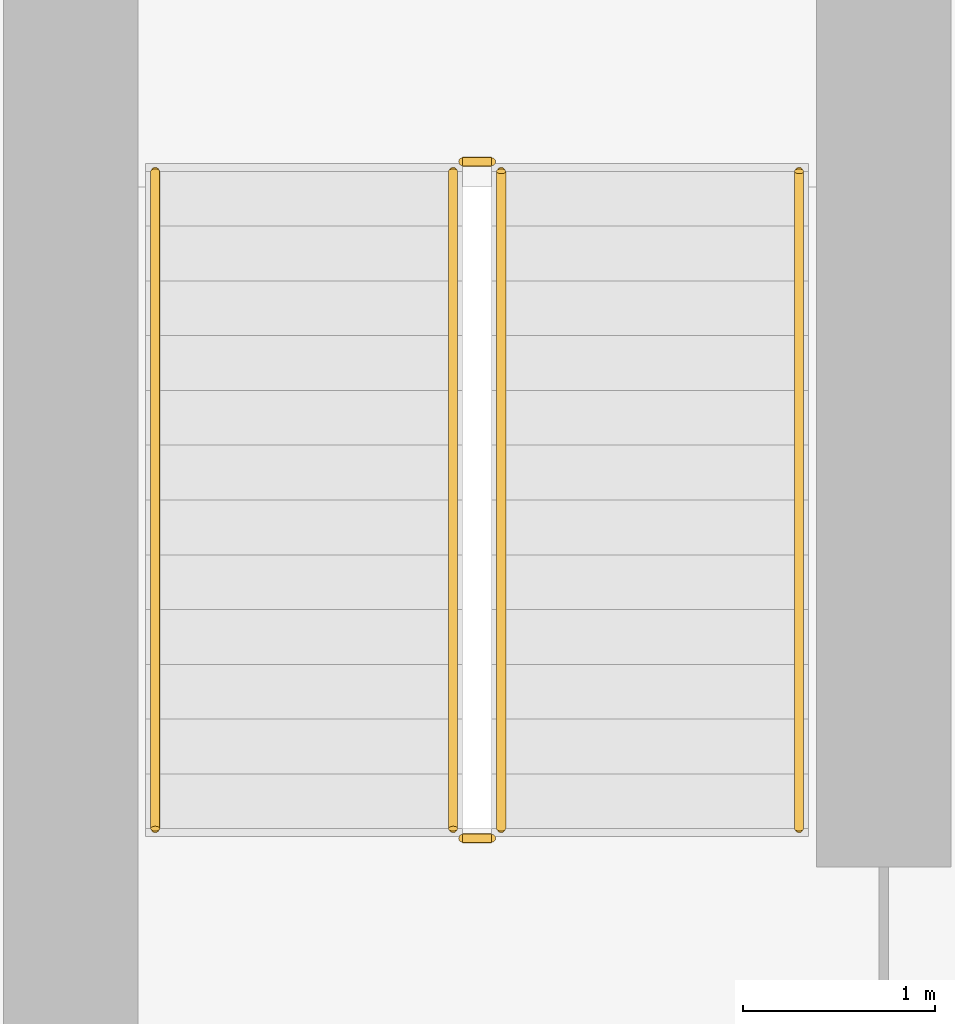
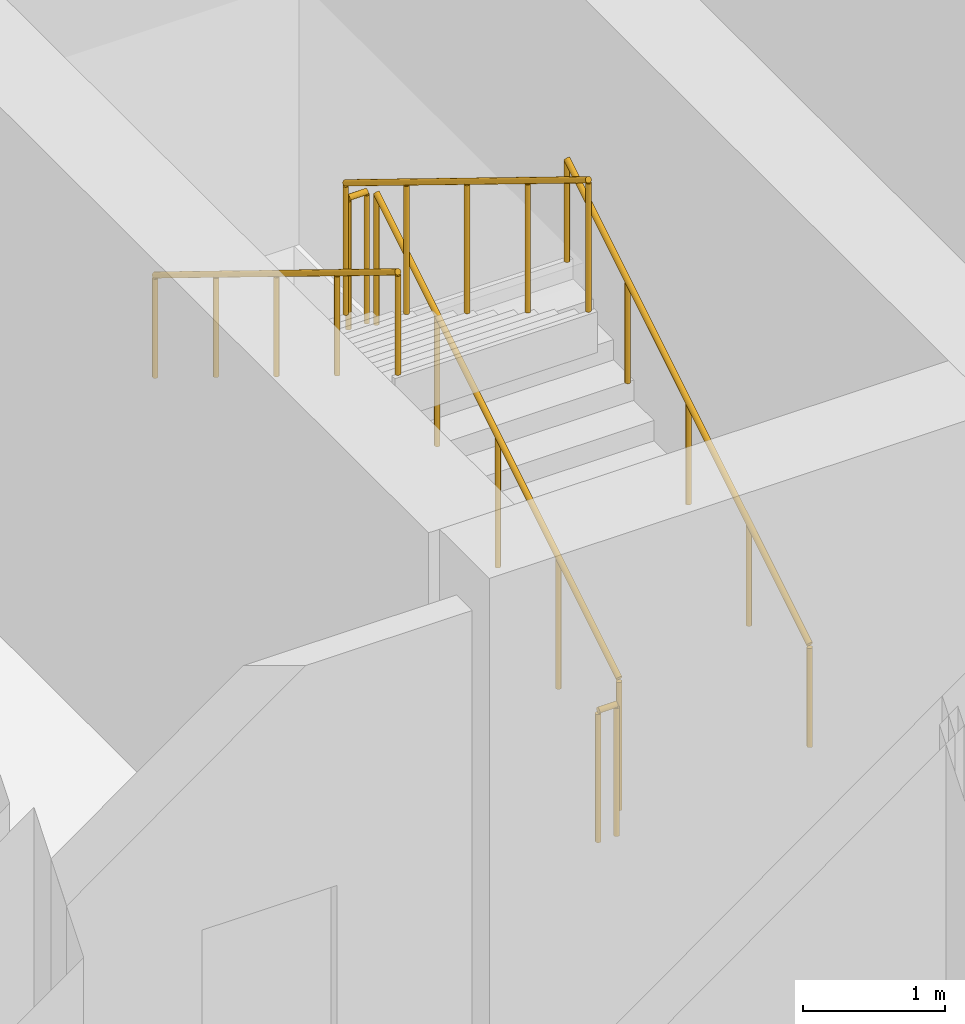
# One storey, part 10 of 13: 6 railings.
"""IFC4 building model written with IfcOpenShell, lengths in metres."""

from ifc_helpers import new_model, si_unit, direction, frame, origin, origin_2d, place, context, subcontext, project, spatial, circle, extrude, material, type_object, element, save


model = new_model("IFC4")

# Units and contexts
model_context = context("Model", 3, precision=1e-05, world=origin(), true_north=direction((0.0, 1.0)))
body_context = subcontext(model_context, "Body", "Model", "MODEL_VIEW")
ifc_project = project(units=[si_unit("LENGTHUNIT", "METRE"), si_unit("AREAUNIT", "SQUARE_METRE"), si_unit("VOLUMEUNIT", "CUBIC_METRE"), si_unit("PLANEANGLEUNIT", "RADIAN"), si_unit("MASSUNIT", "GRAM", prefix="KILO")], contexts=[model_context])

# Site, building, storey
site_placement = place(None, origin())
site = spatial("IfcSite", under=ifc_project, at=site_placement, CompositionType="ELEMENT")
building_placement = place(site_placement, origin())
building = spatial("IfcBuilding", under=site, at=building_placement, Name="Nhamokura Convention Tower", CompositionType="ELEMENT")
storey_placement = place(building_placement, frame((0.0, 0.0, 34.300048828125)))
storey = spatial("IfcBuildingStorey", under=building, at=storey_placement, Name="L06", CompositionType="ELEMENT", Elevation=34.300048828125)

# Railings
ifc_material_1 = material(Name="Anodised bronze stainless steel", Category="steel")
railing_type_1 = type_object("IfcRailingType", Name="StairWallHandrail_900", PredefinedType="HANDRAIL", material=ifc_material_1)
railing_1_placement = place(storey_placement, frame((42.5, 23.10009765625, 0.175048828125)))
element("IfcRailing", 1, at=railing_1_placement, inside=storey, type_object=railing_type_1, Name="L06 ST-02 stair handrail 1", PredefinedType="HANDRAIL", context=body_context, shape_type="SweptSolid", body=[
    extrude(circle(Radius=0.02392578125, at=origin_2d()), frame((0.0, 0.0, 0.8759765625), z_axis=(0.0, 0.852182171552, 0.523245206847), x_axis=(-1.0, 0.0, 0.0)), (0.0, 0.0, 1.0), 4.01318359375),
    extrude(circle(Radius=0.02099609375, at=origin_2d()), origin(), (0.0, 0.0, 1.0), 0.851806640625),
    extrude(circle(Radius=0.02099609375, at=origin_2d()), frame((0.0, 0.85498046875, 0.52490234375)), (0.0, 0.0, 1.0), 0.851806640625),
    extrude(circle(Radius=0.02099609375, at=origin_2d()), frame((0.0, 1.7099609375, 1.0498046875)), (0.0, 0.0, 1.0), 0.851806640625),
    extrude(circle(Radius=0.02099609375, at=origin_2d()), frame((0.0, 2.56494140625, 1.574951171875)), (0.0, 0.0, 1.0), 0.851806640625),
    extrude(circle(Radius=0.02099609375, at=origin_2d()), frame((0.0, 3.419921875, 2.099853515625)), (0.0, 0.0, 1.0), 0.851806640625),
])
railing_2_placement = place(storey_placement, frame((39.14990234375, 26.52001953125, 2.449951171875)))
element("IfcRailing", 2, at=railing_2_placement, inside=storey, type_object=railing_type_1, Name="L06 ST-02 stair handrail 2", PredefinedType="HANDRAIL", context=body_context, shape_type="SweptSolid", body=[
    extrude(circle(Radius=0.02392578125, at=origin_2d()), frame((0.0, 0.0, 0.8759765625), z_axis=(0.0, -0.852155044755, 0.523289384279), x_axis=(1.0, 0.0, 0.0)), (0.0, 0.0, 1.0), 4.01318359375),
    extrude(circle(Radius=0.02099609375, at=origin_2d()), origin(), (0.0, 0.0, 1.0), 0.851806640625),
    extrude(circle(Radius=0.02099609375, at=origin_2d()), frame((0.0, -0.85498046875, 0.52490234375)), (0.0, 0.0, 1.0), 0.851806640625),
    extrude(circle(Radius=0.02099609375, at=origin_2d()), frame((0.0, -1.7099609375, 1.050048828125)), (0.0, 0.0, 1.0), 0.851806640625),
    extrude(circle(Radius=0.02099609375, at=origin_2d()), frame((0.0, -2.56494140625, 1.5751953125)), (0.0, 0.0, 1.0), 0.851806640625),
    extrude(circle(Radius=0.02099609375, at=origin_2d()), frame((0.0, -3.419921875, 2.10009765625)), (0.0, 0.0, 1.0), 0.851806640625),
])
ifc_material_2 = material(Name="Painted tubular steel", Category="steel")
railing_type_2 = type_object("IfcRailingType", Name="StairWellGuardrail_1150", PredefinedType="GUARDRAIL", material=ifc_material_2)
railing_3_placement = place(storey_placement, frame((40.949951171875, 23.10009765625, 0.175048828125)))
element("IfcRailing", 3, at=railing_3_placement, inside=storey, type_object=railing_type_2, Name="L06 ST-02 stair guard 1", PredefinedType="GUARDRAIL", context=body_context, shape_type="SweptSolid", body=[
    extrude(circle(Radius=0.02392578125, at=origin_2d()), frame((0.0, 0.0, 1.1259765625), z_axis=(0.0, 0.852182171552, 0.523245206847), x_axis=(-1.0, 0.0, 0.0)), (0.0, 0.0, 1.0), 4.01318359375),
    extrude(circle(Radius=0.02099609375, at=origin_2d()), origin(), (0.0, 0.0, 1.0), 1.101806640625),
    extrude(circle(Radius=0.02099609375, at=origin_2d()), frame((0.0, 0.85498046875, 0.52490234375)), (0.0, 0.0, 1.0), 1.101806640625),
    extrude(circle(Radius=0.02099609375, at=origin_2d()), frame((0.0, 1.7099609375, 1.0498046875)), (0.0, 0.0, 1.0), 1.101806640625),
    extrude(circle(Radius=0.02099609375, at=origin_2d()), frame((0.0, 2.56494140625, 1.574951171875)), (0.0, 0.0, 1.0), 1.101806640625),
    extrude(circle(Radius=0.02099609375, at=origin_2d()), frame((0.0, 3.419921875, 2.099853515625)), (0.0, 0.0, 1.0), 1.101806640625),
])
railing_4_placement = place(storey_placement, frame((40.89990234375, 26.570068359375, 2.27490234375)))
element("IfcRailing", 4, at=railing_4_placement, inside=storey, type_object=railing_type_2, Name="L06 ST-02 stair guard 2", PredefinedType="GUARDRAIL", context=body_context, shape_type="SweptSolid", body=[
    extrude(circle(Radius=0.02392578125, at=origin_2d()), frame((0.0, 0.0, 1.1259765625), z_axis=(-1.0, 0.0, 0.0), x_axis=(0.0, -1.0, 0.0)), (0.0, 0.0, 1.0), 0.14990234375),
    extrude(circle(Radius=0.02099609375, at=origin_2d()), origin(), (0.0, 0.0, 1.0), 1.101806640625),
    extrude(circle(Radius=0.02099609375, at=origin_2d()), frame((-0.14990234375, 0.0, 0.0)), (0.0, 0.0, 1.0), 1.101806640625),
])
railing_5_placement = place(storey_placement, frame((40.699951171875, 26.52001953125, 2.449951171875)))
element("IfcRailing", 5, at=railing_5_placement, inside=storey, type_object=railing_type_2, Name="L06 ST-02 stair guard 3", PredefinedType="GUARDRAIL", context=body_context, shape_type="SweptSolid", body=[
    extrude(circle(Radius=0.02392578125, at=origin_2d()), frame((0.0, 0.0, 1.1259765625), z_axis=(0.0, -0.852155044755, 0.523289384279), x_axis=(1.0, 0.0, 0.0)), (0.0, 0.0, 1.0), 4.01318359375),
    extrude(circle(Radius=0.02099609375, at=origin_2d()), origin(), (0.0, 0.0, 1.0), 1.101806640625),
    extrude(circle(Radius=0.02099609375, at=origin_2d()), frame((0.0, -0.85498046875, 0.52490234375)), (0.0, 0.0, 1.0), 1.101806640625),
    extrude(circle(Radius=0.02099609375, at=origin_2d()), frame((0.0, -1.7099609375, 1.050048828125)), (0.0, 0.0, 1.0), 1.101806640625),
    extrude(circle(Radius=0.02099609375, at=origin_2d()), frame((0.0, -2.56494140625, 1.5751953125)), (0.0, 0.0, 1.0), 1.101806640625),
    extrude(circle(Radius=0.02099609375, at=origin_2d()), frame((0.0, -3.419921875, 2.10009765625)), (0.0, 0.0, 1.0), 1.101806640625),
])
railing_6_placement = place(storey_placement, frame((40.89990234375, 23.050048828125, 0.0)))
element("IfcRailing", 6, at=railing_6_placement, inside=storey, type_object=railing_type_2, Name="L06 ST-02 stair guard 4", PredefinedType="GUARDRAIL", context=body_context, shape_type="SweptSolid", body=[
    extrude(circle(Radius=0.02392578125, at=origin_2d()), frame((0.0, 0.0, 1.1259765625), z_axis=(-1.0, 0.0, 0.0), x_axis=(0.0, -1.0, 0.0)), (0.0, 0.0, 1.0), 0.14990234375),
    extrude(circle(Radius=0.02099609375, at=origin_2d()), origin(), (0.0, 0.0, 1.0), 1.101806640625),
    extrude(circle(Radius=0.02099609375, at=origin_2d()), frame((-0.14990234375, 0.0, 0.0)), (0.0, 0.0, 1.0), 1.101806640625),
])

save(model, "model.ifc")
